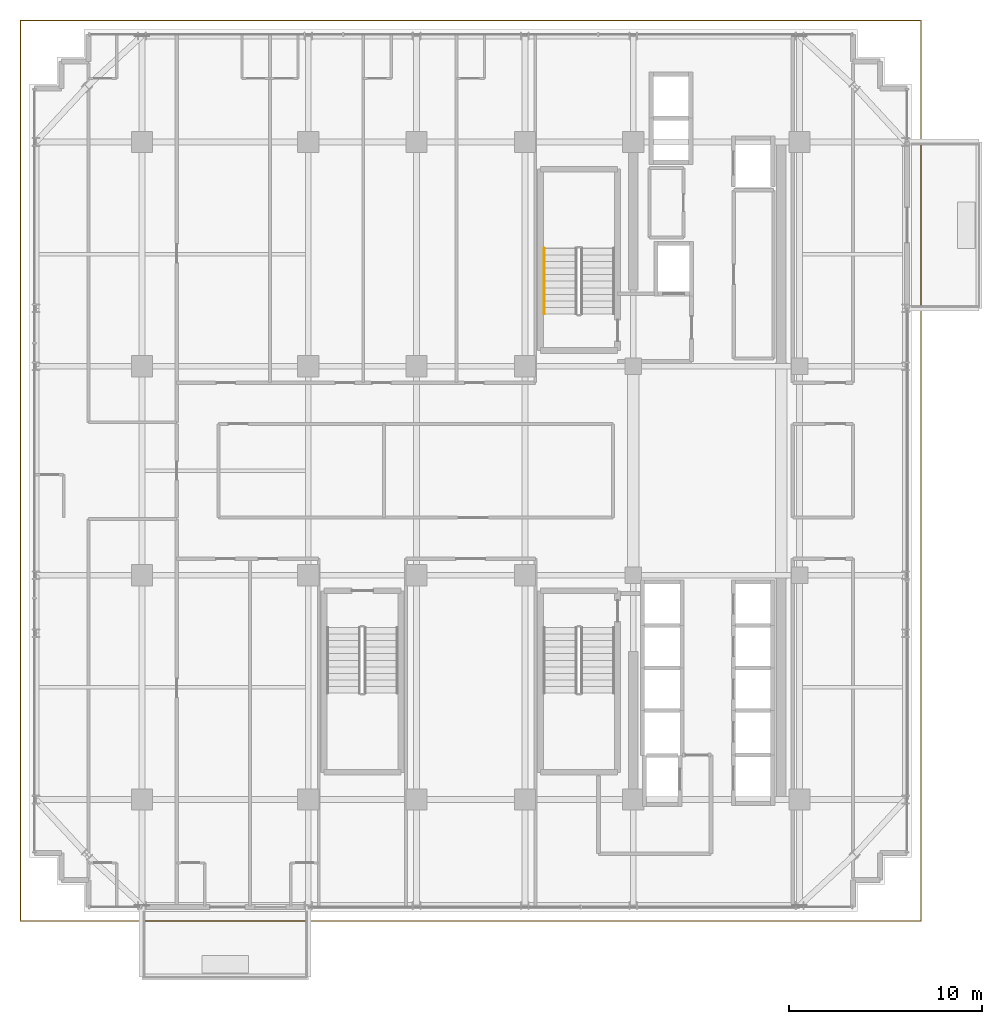
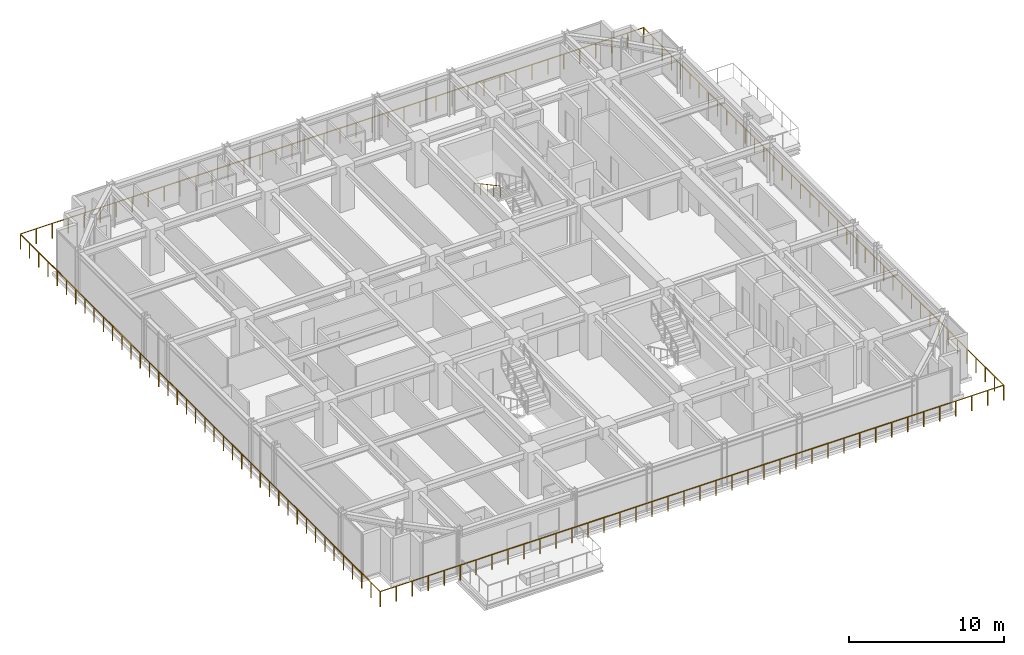
# One storey, part 31 of 33: 3 railings.
"""IFC4 building model written with IfcOpenShell, lengths in metres."""

from ifc_helpers import new_model, si_unit, direction, frame, origin, origin_2d, place, context, subcontext, project, spatial, circle, extrude, material, type_object, element, save


model = new_model("IFC4")

# Units and contexts
model_context = context("Model", 3, precision=1e-05, world=origin(), true_north=direction((0.0, 1.0)))
body_context = subcontext(model_context, "Body", "Model", "MODEL_VIEW")
ifc_project = project(units=[si_unit("LENGTHUNIT", "METRE"), si_unit("AREAUNIT", "SQUARE_METRE"), si_unit("VOLUMEUNIT", "CUBIC_METRE"), si_unit("PLANEANGLEUNIT", "RADIAN"), si_unit("MASSUNIT", "GRAM", prefix="KILO")], contexts=[model_context])

# Site, building, storey
site_placement = place(None, origin())
site = spatial("IfcSite", under=ifc_project, at=site_placement, CompositionType="ELEMENT")
building_placement = place(site_placement, origin())
building = spatial("IfcBuilding", under=site, at=building_placement, Name="Nahalor Promenade Grand Hotel", CompositionType="ELEMENT")
storey_placement = place(building_placement, frame((0.0, 0.0, 149.0)))
storey = spatial("IfcBuildingStorey", under=building, at=storey_placement, Name="L37", CompositionType="ELEMENT", Elevation=149.0)

# Railings
ifc_material_1 = material(Name="Anodised Bronze Aluminium EN AW-6063 T6", Category="aluminium")
railing_type_1 = type_object("IfcRailingType", Name="Bronze Balcony Guardrail 1200 mm", PredefinedType="GUARDRAIL", material=ifc_material_1)
railing_1_placement = place(storey_placement, frame((-23.280029296875, 23.280029296875, 0.0)))
element("IfcRailing", 1, at=railing_1_placement, inside=storey, type_object=railing_type_1, Name="RL-L37-SB1", PredefinedType="GUARDRAIL", context=body_context, shape_type="SweptSolid", body=[
    extrude(circle(Radius=0.024048, at=origin_2d()), frame((0.0, 0.0, 1.17578125), z_axis=(0.0, -1.0, 0.0), x_axis=(1.0, 0.0, 0.0)), (0.0, 0.0, 1.0), 46.55810546875),
    extrude(circle(Radius=0.024048, at=origin_2d()), frame((0.001953125, -46.56005859375, 1.17578125), z_axis=(1.0, 0.0, 0.0), x_axis=(0.0, 1.0, 0.0)), (0.0, 0.0, 1.0), 46.55810546875),
    extrude(circle(Radius=0.020996, at=origin_2d()), origin(), (0.0, 0.0, 1.0), 1.14990234375),
    extrude(circle(Radius=0.020996, at=origin_2d()), frame((0.0, -1.19384765625, 0.0)), (0.0, 0.0, 1.0), 1.14990234375),
    extrude(circle(Radius=0.020996, at=origin_2d()), frame((0.0, -2.3876953125, 0.0)), (0.0, 0.0, 1.0), 1.14990234375),
    extrude(circle(Radius=0.020996, at=origin_2d()), frame((0.0, -3.58154296875, 0.0)), (0.0, 0.0, 1.0), 1.14990234375),
    extrude(circle(Radius=0.020996, at=origin_2d()), frame((0.0, -4.775390625, 0.0)), (0.0, 0.0, 1.0), 1.14990234375),
    extrude(circle(Radius=0.020996, at=origin_2d()), frame((0.0, -5.96923828125, 0.0)), (0.0, 0.0, 1.0), 1.14990234375),
    extrude(circle(Radius=0.020996, at=origin_2d()), frame((0.0, -7.1630859375, 0.0)), (0.0, 0.0, 1.0), 1.14990234375),
    extrude(circle(Radius=0.020996, at=origin_2d()), frame((0.0, -8.35693359375, 0.0)), (0.0, 0.0, 1.0), 1.14990234375),
    extrude(circle(Radius=0.020996, at=origin_2d()), frame((0.0, -9.55078125, 0.0)), (0.0, 0.0, 1.0), 1.14990234375),
    extrude(circle(Radius=0.020996, at=origin_2d()), frame((0.0, -10.74462890625, 0.0)), (0.0, 0.0, 1.0), 1.14990234375),
    extrude(circle(Radius=0.020996, at=origin_2d()), frame((0.0, -11.9384765625, 0.0)), (0.0, 0.0, 1.0), 1.14990234375),
    extrude(circle(Radius=0.020996, at=origin_2d()), frame((0.0, -13.13232421875, 0.0)), (0.0, 0.0, 1.0), 1.14990234375),
    extrude(circle(Radius=0.020996, at=origin_2d()), frame((0.0, -14.326171875, 0.0)), (0.0, 0.0, 1.0), 1.14990234375),
    extrude(circle(Radius=0.020996, at=origin_2d()), frame((0.0, -15.52001953125, 0.0)), (0.0, 0.0, 1.0), 1.14990234375),
    extrude(circle(Radius=0.020996, at=origin_2d()), frame((0.0, -16.7138671875, 0.0)), (0.0, 0.0, 1.0), 1.14990234375),
    extrude(circle(Radius=0.020996, at=origin_2d()), frame((0.0, -17.90771484375, 0.0)), (0.0, 0.0, 1.0), 1.14990234375),
    extrude(circle(Radius=0.020996, at=origin_2d()), frame((0.0, -19.1015625, 0.0)), (0.0, 0.0, 1.0), 1.14990234375),
    extrude(circle(Radius=0.020996, at=origin_2d()), frame((0.0, -20.29541015625, 0.0)), (0.0, 0.0, 1.0), 1.14990234375),
    extrude(circle(Radius=0.020996, at=origin_2d()), frame((0.0, -21.4892578125, 0.0)), (0.0, 0.0, 1.0), 1.14990234375),
    extrude(circle(Radius=0.020996, at=origin_2d()), frame((0.0, -22.68310546875, 0.0)), (0.0, 0.0, 1.0), 1.14990234375),
    extrude(circle(Radius=0.020996, at=origin_2d()), frame((0.0, -23.876953125, 0.0)), (0.0, 0.0, 1.0), 1.14990234375),
    extrude(circle(Radius=0.020996, at=origin_2d()), frame((0.0, -25.07080078125, 0.0)), (0.0, 0.0, 1.0), 1.14990234375),
    extrude(circle(Radius=0.020996, at=origin_2d()), frame((0.0, -26.2646484375, 0.0)), (0.0, 0.0, 1.0), 1.14990234375),
    extrude(circle(Radius=0.020996, at=origin_2d()), frame((0.0, -27.45849609375, 0.0)), (0.0, 0.0, 1.0), 1.14990234375),
    extrude(circle(Radius=0.020996, at=origin_2d()), frame((0.0, -28.65234375, 0.0)), (0.0, 0.0, 1.0), 1.14990234375),
    extrude(circle(Radius=0.020996, at=origin_2d()), frame((0.0, -29.84619140625, 0.0)), (0.0, 0.0, 1.0), 1.14990234375),
    extrude(circle(Radius=0.020996, at=origin_2d()), frame((0.0, -31.0400390625, 0.0)), (0.0, 0.0, 1.0), 1.14990234375),
    extrude(circle(Radius=0.020996, at=origin_2d()), frame((0.0, -32.23388671875, 0.0)), (0.0, 0.0, 1.0), 1.14990234375),
    extrude(circle(Radius=0.020996, at=origin_2d()), frame((0.0, -33.427734375, 0.0)), (0.0, 0.0, 1.0), 1.14990234375),
    extrude(circle(Radius=0.020996, at=origin_2d()), frame((0.0, -34.62158203125, 0.0)), (0.0, 0.0, 1.0), 1.14990234375),
    extrude(circle(Radius=0.020996, at=origin_2d()), frame((0.0, -35.8154296875, 0.0)), (0.0, 0.0, 1.0), 1.14990234375),
    extrude(circle(Radius=0.020996, at=origin_2d()), frame((0.0, -37.00927734375, 0.0)), (0.0, 0.0, 1.0), 1.14990234375),
    extrude(circle(Radius=0.020996, at=origin_2d()), frame((0.0, -38.203125, 0.0)), (0.0, 0.0, 1.0), 1.14990234375),
    extrude(circle(Radius=0.020996, at=origin_2d()), frame((0.0, -39.39697265625, 0.0)), (0.0, 0.0, 1.0), 1.14990234375),
    extrude(circle(Radius=0.020996, at=origin_2d()), frame((0.0, -40.5908203125, 0.0)), (0.0, 0.0, 1.0), 1.14990234375),
    extrude(circle(Radius=0.020996, at=origin_2d()), frame((0.0, -41.78466796875, 0.0)), (0.0, 0.0, 1.0), 1.14990234375),
    extrude(circle(Radius=0.020996, at=origin_2d()), frame((0.0, -42.978515625, 0.0)), (0.0, 0.0, 1.0), 1.14990234375),
    extrude(circle(Radius=0.020996, at=origin_2d()), frame((0.0, -44.17236328125, 0.0)), (0.0, 0.0, 1.0), 1.14990234375),
    extrude(circle(Radius=0.020996, at=origin_2d()), frame((0.0, -45.3662109375, 0.0)), (0.0, 0.0, 1.0), 1.14990234375),
    extrude(circle(Radius=0.020996, at=origin_2d()), frame((0.0, -46.56005859375, 0.0)), (0.0, 0.0, 1.0), 1.14990234375),
    extrude(circle(Radius=0.020996, at=origin_2d()), frame((1.19384765625, -46.56005859375, 0.0)), (0.0, 0.0, 1.0), 1.14990234375),
    extrude(circle(Radius=0.020996, at=origin_2d()), frame((2.3876953125, -46.56005859375, 0.0)), (0.0, 0.0, 1.0), 1.14990234375),
    extrude(circle(Radius=0.020996, at=origin_2d()), frame((3.58154296875, -46.56005859375, 0.0)), (0.0, 0.0, 1.0), 1.14990234375),
    extrude(circle(Radius=0.020996, at=origin_2d()), frame((4.775390625, -46.56005859375, 0.0)), (0.0, 0.0, 1.0), 1.14990234375),
    extrude(circle(Radius=0.020996, at=origin_2d()), frame((5.96923828125, -46.56005859375, 0.0)), (0.0, 0.0, 1.0), 1.14990234375),
    extrude(circle(Radius=0.020996, at=origin_2d()), frame((7.1630859375, -46.56005859375, 0.0)), (0.0, 0.0, 1.0), 1.14990234375),
    extrude(circle(Radius=0.020996, at=origin_2d()), frame((8.35693359375, -46.56005859375, 0.0)), (0.0, 0.0, 1.0), 1.14990234375),
    extrude(circle(Radius=0.020996, at=origin_2d()), frame((9.55078125, -46.56005859375, 0.0)), (0.0, 0.0, 1.0), 1.14990234375),
    extrude(circle(Radius=0.020996, at=origin_2d()), frame((10.74462890625, -46.56005859375, 0.0)), (0.0, 0.0, 1.0), 1.14990234375),
    extrude(circle(Radius=0.020996, at=origin_2d()), frame((11.9384765625, -46.56005859375, 0.0)), (0.0, 0.0, 1.0), 1.14990234375),
    extrude(circle(Radius=0.020996, at=origin_2d()), frame((13.13232421875, -46.56005859375, 0.0)), (0.0, 0.0, 1.0), 1.14990234375),
    extrude(circle(Radius=0.020996, at=origin_2d()), frame((14.326171875, -46.56005859375, 0.0)), (0.0, 0.0, 1.0), 1.14990234375),
    extrude(circle(Radius=0.020996, at=origin_2d()), frame((15.52001953125, -46.56005859375, 0.0)), (0.0, 0.0, 1.0), 1.14990234375),
    extrude(circle(Radius=0.020996, at=origin_2d()), frame((16.7138671875, -46.56005859375, 0.0)), (0.0, 0.0, 1.0), 1.14990234375),
    extrude(circle(Radius=0.020996, at=origin_2d()), frame((17.90771484375, -46.56005859375, 0.0)), (0.0, 0.0, 1.0), 1.14990234375),
    extrude(circle(Radius=0.020996, at=origin_2d()), frame((19.1015625, -46.56005859375, 0.0)), (0.0, 0.0, 1.0), 1.14990234375),
    extrude(circle(Radius=0.020996, at=origin_2d()), frame((20.29541015625, -46.56005859375, 0.0)), (0.0, 0.0, 1.0), 1.14990234375),
    extrude(circle(Radius=0.020996, at=origin_2d()), frame((21.4892578125, -46.56005859375, 0.0)), (0.0, 0.0, 1.0), 1.14990234375),
    extrude(circle(Radius=0.020996, at=origin_2d()), frame((22.68310546875, -46.56005859375, 0.0)), (0.0, 0.0, 1.0), 1.14990234375),
    extrude(circle(Radius=0.020996, at=origin_2d()), frame((23.876953125, -46.56005859375, 0.0)), (0.0, 0.0, 1.0), 1.14990234375),
    extrude(circle(Radius=0.020996, at=origin_2d()), frame((25.07080078125, -46.56005859375, 0.0)), (0.0, 0.0, 1.0), 1.14990234375),
    extrude(circle(Radius=0.020996, at=origin_2d()), frame((26.2646484375, -46.56005859375, 0.0)), (0.0, 0.0, 1.0), 1.14990234375),
    extrude(circle(Radius=0.020996, at=origin_2d()), frame((27.45849609375, -46.56005859375, 0.0)), (0.0, 0.0, 1.0), 1.14990234375),
    extrude(circle(Radius=0.020996, at=origin_2d()), frame((28.65234375, -46.56005859375, 0.0)), (0.0, 0.0, 1.0), 1.14990234375),
    extrude(circle(Radius=0.020996, at=origin_2d()), frame((29.84619140625, -46.56005859375, 0.0)), (0.0, 0.0, 1.0), 1.14990234375),
    extrude(circle(Radius=0.020996, at=origin_2d()), frame((31.0400390625, -46.56005859375, 0.0)), (0.0, 0.0, 1.0), 1.14990234375),
    extrude(circle(Radius=0.020996, at=origin_2d()), frame((32.23388671875, -46.56005859375, 0.0)), (0.0, 0.0, 1.0), 1.14990234375),
    extrude(circle(Radius=0.020996, at=origin_2d()), frame((33.427734375, -46.56005859375, 0.0)), (0.0, 0.0, 1.0), 1.14990234375),
    extrude(circle(Radius=0.020996, at=origin_2d()), frame((34.62158203125, -46.56005859375, 0.0)), (0.0, 0.0, 1.0), 1.14990234375),
    extrude(circle(Radius=0.020996, at=origin_2d()), frame((35.8154296875, -46.56005859375, 0.0)), (0.0, 0.0, 1.0), 1.14990234375),
    extrude(circle(Radius=0.020996, at=origin_2d()), frame((37.00927734375, -46.56005859375, 0.0)), (0.0, 0.0, 1.0), 1.14990234375),
    extrude(circle(Radius=0.020996, at=origin_2d()), frame((38.203125, -46.56005859375, 0.0)), (0.0, 0.0, 1.0), 1.14990234375),
    extrude(circle(Radius=0.020996, at=origin_2d()), frame((39.39697265625, -46.56005859375, 0.0)), (0.0, 0.0, 1.0), 1.14990234375),
    extrude(circle(Radius=0.020996, at=origin_2d()), frame((40.5908203125, -46.56005859375, 0.0)), (0.0, 0.0, 1.0), 1.14990234375),
    extrude(circle(Radius=0.020996, at=origin_2d()), frame((41.78466796875, -46.56005859375, 0.0)), (0.0, 0.0, 1.0), 1.14990234375),
    extrude(circle(Radius=0.020996, at=origin_2d()), frame((42.978515625, -46.56005859375, 0.0)), (0.0, 0.0, 1.0), 1.14990234375),
    extrude(circle(Radius=0.020996, at=origin_2d()), frame((44.17236328125, -46.56005859375, 0.0)), (0.0, 0.0, 1.0), 1.14990234375),
    extrude(circle(Radius=0.020996, at=origin_2d()), frame((45.3662109375, -46.56005859375, 0.0)), (0.0, 0.0, 1.0), 1.14990234375),
    extrude(circle(Radius=0.020996, at=origin_2d()), frame((46.56005859375, -46.56005859375, 0.0)), (0.0, 0.0, 1.0), 1.14990234375),
])
railing_2_placement = place(storey_placement, frame((23.280029296875, -23.280029296875, 0.0)))
element("IfcRailing", 2, at=railing_2_placement, inside=storey, type_object=railing_type_1, Name="RL-L37-SB2", PredefinedType="GUARDRAIL", context=body_context, shape_type="SweptSolid", body=[
    extrude(circle(Radius=0.024048, at=origin_2d()), frame((0.0, 0.0, 1.17578125), z_axis=(0.0, 1.0, 0.0), x_axis=(-1.0, 0.0, 0.0)), (0.0, 0.0, 1.0), 46.55810546875),
    extrude(circle(Radius=0.024048, at=origin_2d()), frame((-0.001953125, 46.56005859375, 1.17578125), z_axis=(-1.0, 0.0, 0.0), x_axis=(0.0, -1.0, 0.0)), (0.0, 0.0, 1.0), 46.55810546875),
    extrude(circle(Radius=0.020996, at=origin_2d()), origin(), (0.0, 0.0, 1.0), 1.14990234375),
    extrude(circle(Radius=0.020996, at=origin_2d()), frame((0.0, 1.19384765625, 0.0)), (0.0, 0.0, 1.0), 1.14990234375),
    extrude(circle(Radius=0.020996, at=origin_2d()), frame((0.0, 2.3876953125, 0.0)), (0.0, 0.0, 1.0), 1.14990234375),
    extrude(circle(Radius=0.020996, at=origin_2d()), frame((0.0, 3.58154296875, 0.0)), (0.0, 0.0, 1.0), 1.14990234375),
    extrude(circle(Radius=0.020996, at=origin_2d()), frame((0.0, 4.775390625, 0.0)), (0.0, 0.0, 1.0), 1.14990234375),
    extrude(circle(Radius=0.020996, at=origin_2d()), frame((0.0, 5.96923828125, 0.0)), (0.0, 0.0, 1.0), 1.14990234375),
    extrude(circle(Radius=0.020996, at=origin_2d()), frame((0.0, 7.1630859375, 0.0)), (0.0, 0.0, 1.0), 1.14990234375),
    extrude(circle(Radius=0.020996, at=origin_2d()), frame((0.0, 8.35693359375, 0.0)), (0.0, 0.0, 1.0), 1.14990234375),
    extrude(circle(Radius=0.020996, at=origin_2d()), frame((0.0, 9.55078125, 0.0)), (0.0, 0.0, 1.0), 1.14990234375),
    extrude(circle(Radius=0.020996, at=origin_2d()), frame((0.0, 10.74462890625, 0.0)), (0.0, 0.0, 1.0), 1.14990234375),
    extrude(circle(Radius=0.020996, at=origin_2d()), frame((0.0, 11.9384765625, 0.0)), (0.0, 0.0, 1.0), 1.14990234375),
    extrude(circle(Radius=0.020996, at=origin_2d()), frame((0.0, 13.13232421875, 0.0)), (0.0, 0.0, 1.0), 1.14990234375),
    extrude(circle(Radius=0.020996, at=origin_2d()), frame((0.0, 14.326171875, 0.0)), (0.0, 0.0, 1.0), 1.14990234375),
    extrude(circle(Radius=0.020996, at=origin_2d()), frame((0.0, 15.52001953125, 0.0)), (0.0, 0.0, 1.0), 1.14990234375),
    extrude(circle(Radius=0.020996, at=origin_2d()), frame((0.0, 16.7138671875, 0.0)), (0.0, 0.0, 1.0), 1.14990234375),
    extrude(circle(Radius=0.020996, at=origin_2d()), frame((0.0, 17.90771484375, 0.0)), (0.0, 0.0, 1.0), 1.14990234375),
    extrude(circle(Radius=0.020996, at=origin_2d()), frame((0.0, 19.1015625, 0.0)), (0.0, 0.0, 1.0), 1.14990234375),
    extrude(circle(Radius=0.020996, at=origin_2d()), frame((0.0, 20.29541015625, 0.0)), (0.0, 0.0, 1.0), 1.14990234375),
    extrude(circle(Radius=0.020996, at=origin_2d()), frame((0.0, 21.4892578125, 0.0)), (0.0, 0.0, 1.0), 1.14990234375),
    extrude(circle(Radius=0.020996, at=origin_2d()), frame((0.0, 22.68310546875, 0.0)), (0.0, 0.0, 1.0), 1.14990234375),
    extrude(circle(Radius=0.020996, at=origin_2d()), frame((0.0, 23.876953125, 0.0)), (0.0, 0.0, 1.0), 1.14990234375),
    extrude(circle(Radius=0.020996, at=origin_2d()), frame((0.0, 25.07080078125, 0.0)), (0.0, 0.0, 1.0), 1.14990234375),
    extrude(circle(Radius=0.020996, at=origin_2d()), frame((0.0, 26.2646484375, 0.0)), (0.0, 0.0, 1.0), 1.14990234375),
    extrude(circle(Radius=0.020996, at=origin_2d()), frame((0.0, 27.45849609375, 0.0)), (0.0, 0.0, 1.0), 1.14990234375),
    extrude(circle(Radius=0.020996, at=origin_2d()), frame((0.0, 28.65234375, 0.0)), (0.0, 0.0, 1.0), 1.14990234375),
    extrude(circle(Radius=0.020996, at=origin_2d()), frame((0.0, 29.84619140625, 0.0)), (0.0, 0.0, 1.0), 1.14990234375),
    extrude(circle(Radius=0.020996, at=origin_2d()), frame((0.0, 31.0400390625, 0.0)), (0.0, 0.0, 1.0), 1.14990234375),
    extrude(circle(Radius=0.020996, at=origin_2d()), frame((0.0, 32.23388671875, 0.0)), (0.0, 0.0, 1.0), 1.14990234375),
    extrude(circle(Radius=0.020996, at=origin_2d()), frame((0.0, 33.427734375, 0.0)), (0.0, 0.0, 1.0), 1.14990234375),
    extrude(circle(Radius=0.020996, at=origin_2d()), frame((0.0, 34.62158203125, 0.0)), (0.0, 0.0, 1.0), 1.14990234375),
    extrude(circle(Radius=0.020996, at=origin_2d()), frame((0.0, 35.8154296875, 0.0)), (0.0, 0.0, 1.0), 1.14990234375),
    extrude(circle(Radius=0.020996, at=origin_2d()), frame((0.0, 37.00927734375, 0.0)), (0.0, 0.0, 1.0), 1.14990234375),
    extrude(circle(Radius=0.020996, at=origin_2d()), frame((0.0, 38.203125, 0.0)), (0.0, 0.0, 1.0), 1.14990234375),
    extrude(circle(Radius=0.020996, at=origin_2d()), frame((0.0, 39.39697265625, 0.0)), (0.0, 0.0, 1.0), 1.14990234375),
    extrude(circle(Radius=0.020996, at=origin_2d()), frame((0.0, 40.5908203125, 0.0)), (0.0, 0.0, 1.0), 1.14990234375),
    extrude(circle(Radius=0.020996, at=origin_2d()), frame((0.0, 41.78466796875, 0.0)), (0.0, 0.0, 1.0), 1.14990234375),
    extrude(circle(Radius=0.020996, at=origin_2d()), frame((0.0, 42.978515625, 0.0)), (0.0, 0.0, 1.0), 1.14990234375),
    extrude(circle(Radius=0.020996, at=origin_2d()), frame((0.0, 44.17236328125, 0.0)), (0.0, 0.0, 1.0), 1.14990234375),
    extrude(circle(Radius=0.020996, at=origin_2d()), frame((0.0, 45.3662109375, 0.0)), (0.0, 0.0, 1.0), 1.14990234375),
    extrude(circle(Radius=0.020996, at=origin_2d()), frame((0.0, 46.56005859375, 0.0)), (0.0, 0.0, 1.0), 1.14990234375),
    extrude(circle(Radius=0.020996, at=origin_2d()), frame((-1.19384765625, 46.56005859375, 0.0)), (0.0, 0.0, 1.0), 1.14990234375),
    extrude(circle(Radius=0.020996, at=origin_2d()), frame((-2.3876953125, 46.56005859375, 0.0)), (0.0, 0.0, 1.0), 1.14990234375),
    extrude(circle(Radius=0.020996, at=origin_2d()), frame((-3.58154296875, 46.56005859375, 0.0)), (0.0, 0.0, 1.0), 1.14990234375),
    extrude(circle(Radius=0.020996, at=origin_2d()), frame((-4.775390625, 46.56005859375, 0.0)), (0.0, 0.0, 1.0), 1.14990234375),
    extrude(circle(Radius=0.020996, at=origin_2d()), frame((-5.96923828125, 46.56005859375, 0.0)), (0.0, 0.0, 1.0), 1.14990234375),
    extrude(circle(Radius=0.020996, at=origin_2d()), frame((-7.1630859375, 46.56005859375, 0.0)), (0.0, 0.0, 1.0), 1.14990234375),
    extrude(circle(Radius=0.020996, at=origin_2d()), frame((-8.35693359375, 46.56005859375, 0.0)), (0.0, 0.0, 1.0), 1.14990234375),
    extrude(circle(Radius=0.020996, at=origin_2d()), frame((-9.55078125, 46.56005859375, 0.0)), (0.0, 0.0, 1.0), 1.14990234375),
    extrude(circle(Radius=0.020996, at=origin_2d()), frame((-10.74462890625, 46.56005859375, 0.0)), (0.0, 0.0, 1.0), 1.14990234375),
    extrude(circle(Radius=0.020996, at=origin_2d()), frame((-11.9384765625, 46.56005859375, 0.0)), (0.0, 0.0, 1.0), 1.14990234375),
    extrude(circle(Radius=0.020996, at=origin_2d()), frame((-13.13232421875, 46.56005859375, 0.0)), (0.0, 0.0, 1.0), 1.14990234375),
    extrude(circle(Radius=0.020996, at=origin_2d()), frame((-14.326171875, 46.56005859375, 0.0)), (0.0, 0.0, 1.0), 1.14990234375),
    extrude(circle(Radius=0.020996, at=origin_2d()), frame((-15.52001953125, 46.56005859375, 0.0)), (0.0, 0.0, 1.0), 1.14990234375),
    extrude(circle(Radius=0.020996, at=origin_2d()), frame((-16.7138671875, 46.56005859375, 0.0)), (0.0, 0.0, 1.0), 1.14990234375),
    extrude(circle(Radius=0.020996, at=origin_2d()), frame((-17.90771484375, 46.56005859375, 0.0)), (0.0, 0.0, 1.0), 1.14990234375),
    extrude(circle(Radius=0.020996, at=origin_2d()), frame((-19.1015625, 46.56005859375, 0.0)), (0.0, 0.0, 1.0), 1.14990234375),
    extrude(circle(Radius=0.020996, at=origin_2d()), frame((-20.29541015625, 46.56005859375, 0.0)), (0.0, 0.0, 1.0), 1.14990234375),
    extrude(circle(Radius=0.020996, at=origin_2d()), frame((-21.4892578125, 46.56005859375, 0.0)), (0.0, 0.0, 1.0), 1.14990234375),
    extrude(circle(Radius=0.020996, at=origin_2d()), frame((-22.68310546875, 46.56005859375, 0.0)), (0.0, 0.0, 1.0), 1.14990234375),
    extrude(circle(Radius=0.020996, at=origin_2d()), frame((-23.876953125, 46.56005859375, 0.0)), (0.0, 0.0, 1.0), 1.14990234375),
    extrude(circle(Radius=0.020996, at=origin_2d()), frame((-25.07080078125, 46.56005859375, 0.0)), (0.0, 0.0, 1.0), 1.14990234375),
    extrude(circle(Radius=0.020996, at=origin_2d()), frame((-26.2646484375, 46.56005859375, 0.0)), (0.0, 0.0, 1.0), 1.14990234375),
    extrude(circle(Radius=0.020996, at=origin_2d()), frame((-27.45849609375, 46.56005859375, 0.0)), (0.0, 0.0, 1.0), 1.14990234375),
    extrude(circle(Radius=0.020996, at=origin_2d()), frame((-28.65234375, 46.56005859375, 0.0)), (0.0, 0.0, 1.0), 1.14990234375),
    extrude(circle(Radius=0.020996, at=origin_2d()), frame((-29.84619140625, 46.56005859375, 0.0)), (0.0, 0.0, 1.0), 1.14990234375),
    extrude(circle(Radius=0.020996, at=origin_2d()), frame((-31.0400390625, 46.56005859375, 0.0)), (0.0, 0.0, 1.0), 1.14990234375),
    extrude(circle(Radius=0.020996, at=origin_2d()), frame((-32.23388671875, 46.56005859375, 0.0)), (0.0, 0.0, 1.0), 1.14990234375),
    extrude(circle(Radius=0.020996, at=origin_2d()), frame((-33.427734375, 46.56005859375, 0.0)), (0.0, 0.0, 1.0), 1.14990234375),
    extrude(circle(Radius=0.020996, at=origin_2d()), frame((-34.62158203125, 46.56005859375, 0.0)), (0.0, 0.0, 1.0), 1.14990234375),
    extrude(circle(Radius=0.020996, at=origin_2d()), frame((-35.8154296875, 46.56005859375, 0.0)), (0.0, 0.0, 1.0), 1.14990234375),
    extrude(circle(Radius=0.020996, at=origin_2d()), frame((-37.00927734375, 46.56005859375, 0.0)), (0.0, 0.0, 1.0), 1.14990234375),
    extrude(circle(Radius=0.020996, at=origin_2d()), frame((-38.203125, 46.56005859375, 0.0)), (0.0, 0.0, 1.0), 1.14990234375),
    extrude(circle(Radius=0.020996, at=origin_2d()), frame((-39.39697265625, 46.56005859375, 0.0)), (0.0, 0.0, 1.0), 1.14990234375),
    extrude(circle(Radius=0.020996, at=origin_2d()), frame((-40.5908203125, 46.56005859375, 0.0)), (0.0, 0.0, 1.0), 1.14990234375),
    extrude(circle(Radius=0.020996, at=origin_2d()), frame((-41.78466796875, 46.56005859375, 0.0)), (0.0, 0.0, 1.0), 1.14990234375),
    extrude(circle(Radius=0.020996, at=origin_2d()), frame((-42.978515625, 46.56005859375, 0.0)), (0.0, 0.0, 1.0), 1.14990234375),
    extrude(circle(Radius=0.020996, at=origin_2d()), frame((-44.17236328125, 46.56005859375, 0.0)), (0.0, 0.0, 1.0), 1.14990234375),
    extrude(circle(Radius=0.020996, at=origin_2d()), frame((-45.3662109375, 46.56005859375, 0.0)), (0.0, 0.0, 1.0), 1.14990234375),
    extrude(circle(Radius=0.020996, at=origin_2d()), frame((-46.56005859375, 46.56005859375, 0.0)), (0.0, 0.0, 1.0), 1.14990234375),
])
ifc_material_2 = material(Name="Steel S355JR", Category="steel")
railing_type_2 = type_object("IfcRailingType", Name="Steel Stair Handrail 900 mm", PredefinedType="HANDRAIL", material=ifc_material_2)
railing_3_placement = place(storey_placement, frame((3.800048828125, 11.5, 1.990966796875)))
element("IfcRailing", 3, at=railing_3_placement, inside=storey, type_object=railing_type_2, Name="L37 ST1 stair handrail 2", PredefinedType="HANDRAIL", context=body_context, shape_type="SweptSolid", body=[
    extrude(circle(Radius=0.024048, at=origin_2d()), frame((0.0, 0.0, 0.8759765625), z_axis=(0.0, -0.881094038095, 0.47294111265), x_axis=(1.0, 0.0, 0.0)), (0.0, 0.0, 1.0), 3.858642578125),
    extrude(circle(Radius=0.020996, at=origin_2d()), origin(), (0.0, 0.0, 1.0), 0.849853515625),
    extrude(circle(Radius=0.020996, at=origin_2d()), frame((0.0, -0.85009765625, 0.456298828125)), (0.0, 0.0, 1.0), 0.849853515625),
    extrude(circle(Radius=0.020996, at=origin_2d()), frame((0.0, -1.699951171875, 0.91259765625)), (0.0, 0.0, 1.0), 0.849853515625),
    extrude(circle(Radius=0.020996, at=origin_2d()), frame((0.0, -2.5498046875, 1.36865234375)), (0.0, 0.0, 1.0), 0.849853515625),
    extrude(circle(Radius=0.020996, at=origin_2d()), frame((0.0, -3.39990234375, 1.824951171875)), (0.0, 0.0, 1.0), 0.849853515625),
])

save(model, "model.ifc")
